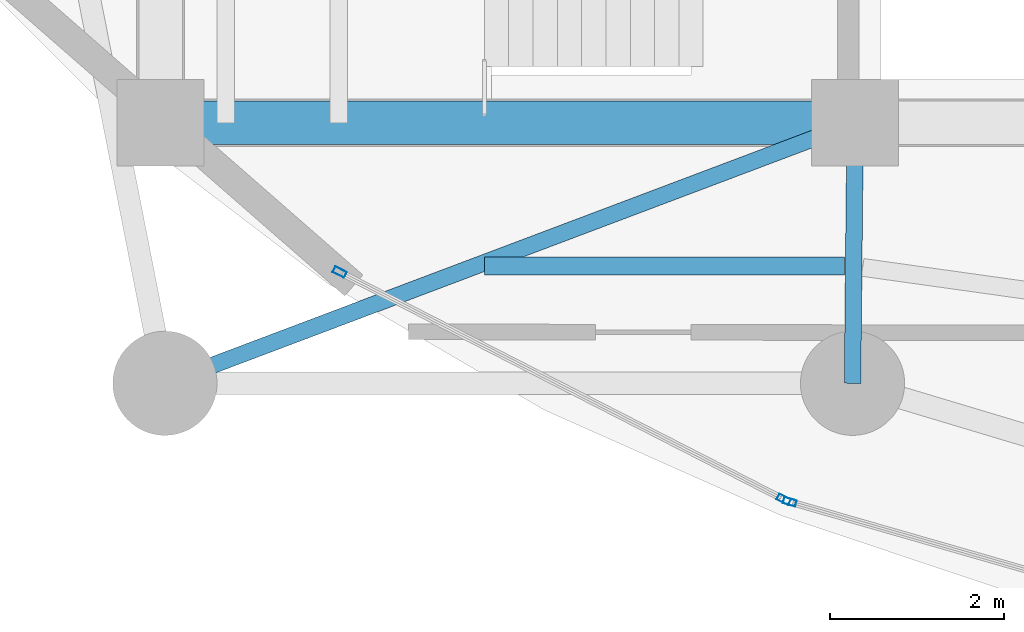
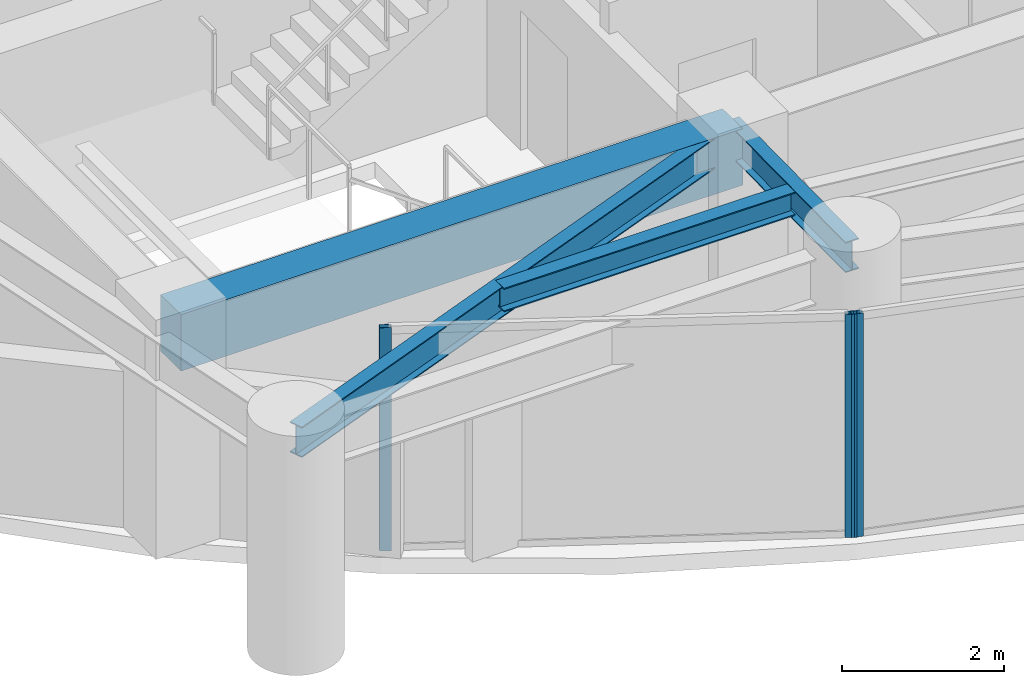
# One storey, part 2 of 28: 4 beams, 3 members, 2 elements without a shape of their own.
"""IFC4 building model written with IfcOpenShell, lengths in metres."""

from ifc_helpers import new_model, si_unit, direction, frame, origin, origin_2d, place, context, subcontext, project, spatial, rectangle, hollow_rectangle, i_section, extrude, material, layer, layer_set, material_profile, profile_set, type_object, element, aggregate, save


model = new_model("IFC4")

# Units and contexts
model_context = context("Model", 3, precision=1e-05, world=origin(), true_north=direction((0.0, 1.0)))
body_context = subcontext(model_context, "Body", "Model", "MODEL_VIEW")
ifc_project = project(units=[si_unit("LENGTHUNIT", "METRE"), si_unit("AREAUNIT", "SQUARE_METRE"), si_unit("VOLUMEUNIT", "CUBIC_METRE"), si_unit("PLANEANGLEUNIT", "RADIAN"), si_unit("MASSUNIT", "GRAM", prefix="KILO")], contexts=[model_context])

# Site, building, storey
site_placement = place(None, origin())
site = spatial("IfcSite", under=ifc_project, at=site_placement, CompositionType="ELEMENT")
building_placement = place(site_placement, origin())
building = spatial("IfcBuilding", under=site, at=building_placement, Name="Kazevale Care Tower and Concert Hall", CompositionType="ELEMENT")
storey_placement = place(building_placement, frame((0.0, 0.0, 135.0)))
storey = spatial("IfcBuildingStorey", under=building, at=storey_placement, Name="L35", CompositionType="ELEMENT", Elevation=135.0)

# Curtain wall, member
ifc_material_1 = material(Name="Aluminium 6063-T6 and Low-E Glass", Category="aluminium")
ifc_layer = layer(ifc_material_1, 0.179931640625)
ifc_layer_set = layer_set([ifc_layer], Name="Aluminium 6063-T6 and Low-E Glass")
curtain_wall_type = type_object("IfcCurtainWallType", Name="Sheltered Concave Balcony Curtain Wall CW-5", PredefinedType="NOTDEFINED", material=ifc_layer_set)
curtain_wall_1_placement = place(storey_placement, origin())
curtain_wall_1 = element("IfcCurtainWall", 1, at=curtain_wall_1_placement, inside=storey, type_object=curtain_wall_type, Name="cw:L35:f08", PredefinedType="NOTDEFINED")
ifc_material_2 = material(Name="Aluminium 6063-T6", Category="aluminium")
ifc_material_profile_1 = material_profile(ifc_material_2, hollow_rectangle(XDim=0.074951171875, YDim=0.14990234375, WallThickness=0.00390625, at=origin_2d()), Name="ALU75x150x4")
ifc_profile_set_1 = profile_set([ifc_material_profile_1], Name="Aluminium 6063-T6")
member_type = type_object("IfcMemberType", Name="CW-5 Mullion ALU75x150x4", PredefinedType="MULLION", material=ifc_profile_set_1)
member_1_placement = place(storey_placement, frame((29.2470703125, 19.234619140625, 0.0), z_axis=(0.0, 0.0, 1.0), x_axis=(-0.276290733172, -0.961074102639, 0.0)))
member_1 = element("IfcMember", 2, at=member_1_placement, type_object=member_type, Name="CW-5 mullion 2", PredefinedType="MULLION", context=body_context, shape_type="SweptSolid", body=[
    extrude(hollow_rectangle(XDim=0.074951171875, YDim=0.14990234375, WallThickness=0.00390625, at=origin_2d()), origin(), (0.0, 0.0, 1.0), 3.360107421875),
])
aggregate(curtain_wall_1, [member_1])

# Curtain wall, members
curtain_wall_2_placement = place(storey_placement, origin())
curtain_wall_2 = element("IfcCurtainWall", 3, at=curtain_wall_2_placement, inside=storey, type_object=curtain_wall_type, Name="cw:L35:f09", PredefinedType="NOTDEFINED")
member_2_placement = place(storey_placement, frame((29.177734375, 19.26220703125, 0.0), z_axis=(0.0, 0.0, 1.0), x_axis=(-0.455713236575, -0.890126646051, 0.0)))
member_2 = element("IfcMember", 4, at=member_2_placement, type_object=member_type, Name="CW-5 mullion 1", PredefinedType="MULLION", context=body_context, shape_type="SweptSolid", body=[
    extrude(hollow_rectangle(XDim=0.074951171875, YDim=0.14990234375, WallThickness=0.00390625, at=origin_2d()), origin(), (0.0, 0.0, 1.0), 3.360107421875),
])
member_3_placement = place(storey_placement, frame((24.0625, 21.880859375, 0.0), z_axis=(0.0, 0.0, 1.0), x_axis=(-0.455713236575, -0.890126646051, 0.0)))
member_3 = element("IfcMember", 5, at=member_3_placement, type_object=member_type, Name="CW-5 mullion 2", PredefinedType="MULLION", context=body_context, shape_type="SweptSolid", body=[
    extrude(hollow_rectangle(XDim=0.074951171875, YDim=0.14990234375, WallThickness=0.00390625, at=origin_2d()), origin(), (0.0, 0.0, 1.0), 3.360107421875),
])
aggregate(curtain_wall_2, [member_2, member_3])

# Beams
ifc_material_3 = material(Name="Concrete C60", Category="concrete")
ifc_material_profile_2 = material_profile(ifc_material_3, rectangle(XDim=0.5, YDim=0.85009765625, at=origin_2d()), Name="RC-B500x850")
ifc_profile_set_2 = profile_set([ifc_material_profile_2], Name="Concrete C60")
beam_type_1 = type_object("IfcBeamType", Name="Core Coupling Beam RC500x850", PredefinedType="LINTEL", material=ifc_profile_set_2)
beam_1_placement = place(storey_placement, frame((22.0, 23.60009765625, 2.93505859375), z_axis=(1.0, 0.0, 0.0), x_axis=(0.0, 1.0, 0.0)))
element("IfcBeam", 6, at=beam_1_placement, inside=storey, type_object=beam_type_1, Name="beam:L35:coretie:1", PredefinedType="LINTEL", context=body_context, shape_type="SweptSolid", body=[
    extrude(rectangle(XDim=0.5, YDim=0.85009765625, at=origin_2d()), origin(), (0.0, 0.0, 1.0), 8.0),
])
ifc_material_4 = material(Name="Steel ASTM A572 Gr 50", Category="steel")
ifc_material_profile_3 = material_profile(ifc_material_4, i_section(OverallWidth=0.19091796875, OverallDepth=0.4599609375, WebThickness=0.010009765625, FlangeThickness=0.01611328125, at=origin_2d()), Name="W460x82")
ifc_profile_set_3 = profile_set([ifc_material_profile_3], Name="Steel ASTM A572 Gr 50")
beam_type_2 = type_object("IfcBeamType", Name="Radial Floor Beam W460x82", PredefinedType="BEAM", material=ifc_profile_set_3)
beam_2_placement = place(storey_placement, frame((30.0, 23.60009765625, 3.1298828125), z_axis=(-0.935601002663, -0.353059150592, 0.0), x_axis=(0.353059150592, -0.935601002663, 0.0)))
element("IfcBeam", 7, at=beam_2_placement, inside=storey, type_object=beam_type_2, Name="beam:L35:rad:10", PredefinedType="BEAM", context=body_context, shape_type="SweptSolid", body=[
    extrude(i_section(OverallWidth=0.19091796875, OverallDepth=0.4599609375, WebThickness=0.010009765625, FlangeThickness=0.01611328125, at=origin_2d()), origin(), (0.0, 0.0, 1.0), 8.4970703125),
])
beam_3_placement = place(storey_placement, frame((30.0, 23.60009765625, 3.1298828125), z_axis=(-0.010009264196, -0.99994990606, 0.0), x_axis=(0.99994990606, -0.010009264196, 0.0)))
element("IfcBeam", 8, at=beam_3_placement, inside=storey, type_object=beam_type_2, Name="beam:L35:rad:11", PredefinedType="BEAM", context=body_context, shape_type="SweptSolid", body=[
    extrude(i_section(OverallWidth=0.19091796875, OverallDepth=0.4599609375, WebThickness=0.010009765625, FlangeThickness=0.01611328125, at=origin_2d()), origin(), (0.0, 0.0, 1.0), 3.000244140625),
])
ifc_material_profile_4 = material_profile(ifc_material_4, i_section(OverallWidth=0.205078125, OverallDepth=0.35400390625, WebThickness=0.009521484375, FlangeThickness=0.016845703125, at=origin_2d()), Name="W360x79")
ifc_profile_set_4 = profile_set([ifc_material_profile_4], Name="Steel ASTM A572 Gr 50")
beam_type_3 = type_object("IfcBeamType", Name="Secondary Floor Joist W360x79", PredefinedType="JOIST", material=ifc_profile_set_4)
beam_4_placement = place(storey_placement, frame((25.73291015625, 21.949951171875, 3.18310546875), z_axis=(1.0, 0.0, 0.0), x_axis=(0.0, 1.0, 0.0)))
element("IfcBeam", 9, at=beam_4_placement, inside=storey, type_object=beam_type_3, Name="beam:L35:joist:10", PredefinedType="JOIST", context=body_context, shape_type="SweptSolid", body=[
    extrude(i_section(OverallWidth=0.205078125, OverallDepth=0.35400390625, WebThickness=0.009521484375, FlangeThickness=0.016845703125, at=origin_2d()), origin(), (0.0, 0.0, 1.0), 4.14501953125),
])

save(model, "model.ifc")
